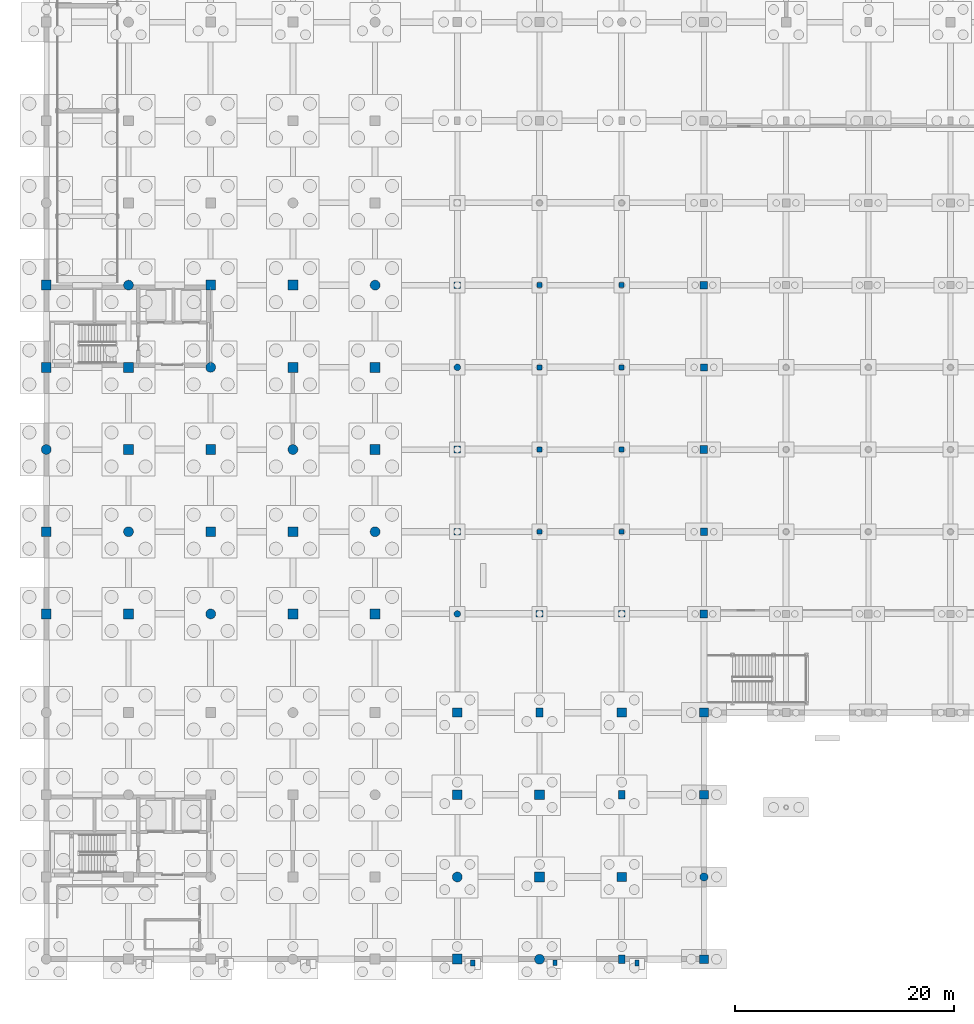
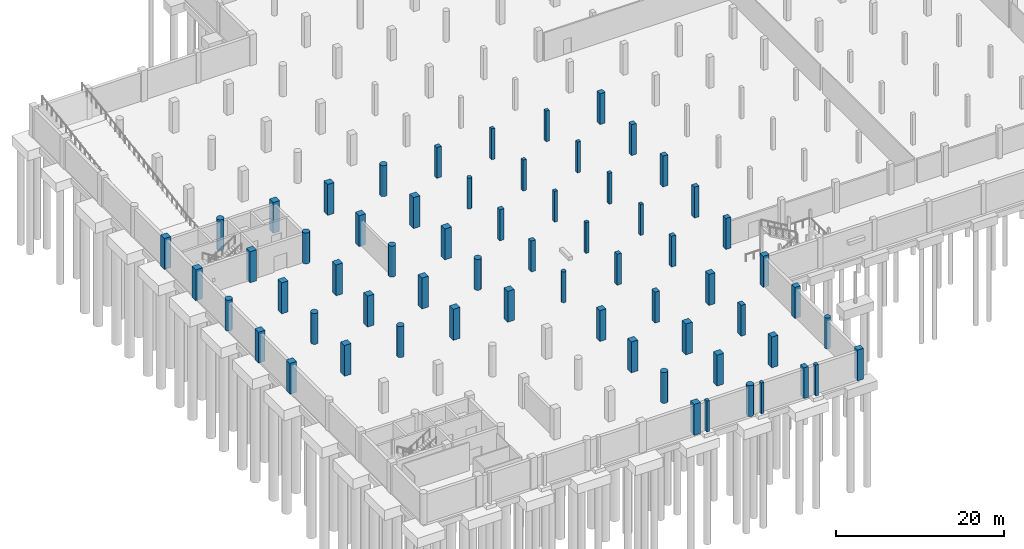
# One storey, part 17 of 42: 64 columns.
"""IFC4 building model written with IfcOpenShell, lengths in metres."""

import ifcopenshell
import ifcopenshell.guid

model = None  # the IFC model being written
_history = None  # IfcOwnerHistory: only IFC2X3 demands one
_inside = {}  # id of a spatial element -> (the spatial element, [elements in it])
_under = {}  # id of a project, library or spatial element -> (it, [spatial elements below it])
_declared = {}  # id of a project -> (the project, [libraries it declares])
_typed = {}  # id of a type object -> (the type object, [elements of that type])
_made_of = {}  # id of a material, layer set ... -> (it, [elements and type objects made of it])


def new_model(schema):
    """Start an empty IFC model of exactly this schema.

    Asked for "IFC4X3", IfcOpenShell would pick the latest addendum, in which some entities
    have other attributes; the version numbers below select the first issue.
    IFC2X3 requires an IfcOwnerHistory on every rooted entity: one is made here for all.
    """
    global model, _history
    if schema == "IFC4X3":
        model = ifcopenshell.file(schema_version=(4, 3, 0, 0))
    else:
        model = ifcopenshell.file(schema=schema)
    _inside.clear()
    _under.clear()
    _declared.clear()
    _typed.clear()
    _made_of.clear()
    _history = None
    if model.schema == "IFC2X3":
        org = make("IfcOrganization", Name="unknown")
        user = make(
            "IfcPersonAndOrganization",
            ThePerson=make("IfcPerson", FamilyName="unknown"),
            TheOrganization=org,
        )
        app = make(
            "IfcApplication",
            ApplicationDeveloper=org,
            Version="unknown",
            ApplicationFullName="unknown",
            ApplicationIdentifier="unknown",
        )
        _history = make(
            "IfcOwnerHistory",
            OwningUser=user,
            OwningApplication=app,
            ChangeAction="ADDED",
            CreationDate=0,
        )
    return model


def make(cls, **values):
    """One entity of the class cls with the attributes given. An attribute that is None is left unset."""
    return model.create_entity(
        cls, **{name: value for name, value in values.items() if value is not None}
    )


def rooted(cls, **values):
    """An entity with a GlobalId (a new one), such as an element, a storey or a relation."""
    return make(cls, GlobalId=ifcopenshell.guid.new(), OwnerHistory=_history, **values)


def si_unit(unit_type, name, prefix=None):
    """IfcSIUnit, for example si_unit("LENGTHUNIT", "METRE", prefix="MILLI")."""
    return make("IfcSIUnit", UnitType=unit_type, Prefix=prefix, Name=name)


def assignment(units):
    """IfcUnitAssignment: the units of a project."""
    return None if units is None else make("IfcUnitAssignment", Units=units)


def point(xyz):
    """IfcCartesianPoint."""
    return None if xyz is None else make("IfcCartesianPoint", Coordinates=xyz)


def direction(xyz):
    """IfcDirection."""
    return None if xyz is None else make("IfcDirection", DirectionRatios=xyz)


def frame(location, z_axis=None, x_axis=None):
    """IfcAxis2Placement3D, a coordinate frame: its origin and axes. An axis left out is left unset."""
    return make(
        "IfcAxis2Placement3D",
        Location=point(location),
        Axis=direction(z_axis),
        RefDirection=direction(x_axis),
    )


def frame_2d(location, x_axis=None):
    """IfcAxis2Placement2D, a coordinate frame in the plane: its origin and x axis."""
    return make(
        "IfcAxis2Placement2D", Location=point(location), RefDirection=direction(x_axis)
    )


def origin():
    """The frame at (0, 0, 0) with its axes left unset."""
    return frame((0.0, 0.0, 0.0))


def origin_2d():
    """The frame at (0, 0) in the plane with its x axis left unset."""
    return frame_2d((0.0, 0.0))


def place(relative_to, where):
    """IfcLocalPlacement: puts the frame where relative to a parent placement (None: the world)."""
    return make(
        "IfcLocalPlacement", PlacementRelTo=relative_to, RelativePlacement=where
    )


def context(
    kind, dimensions, precision=None, world=None, true_north=None, identifier=None
):
    """IfcGeometricRepresentationContext, for example the 3D "Model" context."""
    return make(
        "IfcGeometricRepresentationContext",
        ContextIdentifier=identifier,
        ContextType=kind,
        CoordinateSpaceDimension=dimensions,
        Precision=precision,
        WorldCoordinateSystem=world,
        TrueNorth=true_north,
    )


def subcontext(parent, identifier, kind, view, scale=None):
    """IfcGeometricRepresentationSubContext, for example "Body" below "Model"."""
    return make(
        "IfcGeometricRepresentationSubContext",
        ContextIdentifier=identifier,
        ContextType=kind,
        ParentContext=parent,
        TargetScale=scale,
        TargetView=view,
    )


def project(units=None, contexts=None):
    """IfcProject with its units and contexts."""
    return rooted(
        "IfcProject",
        Name="project",
        RepresentationContexts=contexts,
        UnitsInContext=assignment(units),
    )


def spatial(cls, under=None, at=None, **own):
    """A site, building, storey or space (cls), placed at a placement, below another one or the project."""
    s = rooted(cls, ObjectPlacement=at, **own)
    if under is not None:
        _under.setdefault(under.id(), (under, []))[1].append(s)
    return s


def profile(cls, at=None, kind="AREA", **sizes):
    """A parametric profile (cls). Its sizes go by their IFC names, for example OverallWidth=200.0."""
    return make(cls, ProfileType=kind, Position=at, **sizes)


def rectangle(**sizes):
    """IfcRectangleProfileDef."""
    return profile("IfcRectangleProfileDef", **sizes)


def circle(**sizes):
    """IfcCircleProfileDef."""
    return profile("IfcCircleProfileDef", **sizes)


def extrude(swept, where, along, depth):
    """IfcExtrudedAreaSolid: the profile swept, set in the frame where, extruded along a direction by depth."""
    return make(
        "IfcExtrudedAreaSolid",
        SweptArea=swept,
        Position=where,
        ExtrudedDirection=direction(along),
        Depth=depth,
    )


def shape(context_of_items, identifier, shape_type, items):
    """IfcShapeRepresentation: the items that make up one representation, for example the "Body"."""
    return make(
        "IfcShapeRepresentation",
        ContextOfItems=context_of_items,
        RepresentationIdentifier=identifier,
        RepresentationType=shape_type,
        Items=items,
    )


def material(Name=None, Category=None):
    """IfcMaterial."""
    return make("IfcMaterial", Name=Name, Category=Category)


def material_profile(
    of_material, cross_section, Name=None, Category=None, Priority=None
):
    """IfcMaterialProfile: a cross section and its material."""
    return make(
        "IfcMaterialProfile",
        Name=Name,
        Material=of_material,
        Profile=cross_section,
        Priority=Priority,
        Category=Category,
    )


def profile_set(profiles, Name=None, composite=None):
    """IfcMaterialProfileSet."""
    return make(
        "IfcMaterialProfileSet",
        Name=Name,
        MaterialProfiles=profiles,
        CompositeProfile=composite,
    )


def made_of(thing, what):
    """Note that an element or type object is made of a material, layer set ...; save() writes the relation."""
    if what is not None:
        _made_of.setdefault(what.id(), (what, []))[1].append(thing)
    return thing


def type_object(cls, material=None, **own):
    """A type object (cls), such as IfcWallType, which elements share."""
    return made_of(rooted(cls, **own), material)


def element(
    cls,
    number,
    at=None,
    inside=None,
    cuts=None,
    type_object=None,
    material=None,
    context=None,
    identifier="Body",
    shape_type=None,
    held_by="IfcProductDefinitionShape",
    body=None,
    shapes=None,
    **own,
):
    """One element of the class cls, such as IfcWall. Its Tag is "e" and its number.

    at: its placement. inside: the storey or other place that contains it. cuts: it is an
    opening in that element (IfcRelVoidsElement). A single representation is given by context,
    identifier, shape_type and body (its items); several are given by shapes. held_by: the class
    of the entity that holds the representations. save() writes the other relations.
    """
    e = rooted(cls, Tag="e%d" % number, ObjectPlacement=at, **own)
    if body is not None:
        shapes = [shape(context, identifier, shape_type, body)]
    if shapes is not None:
        e.Representation = make(held_by, Representations=shapes)
    if inside is not None:
        _inside.setdefault(inside.id(), (inside, []))[1].append(e)
    if cuts is not None:
        rooted(
            "IfcRelVoidsElement", RelatingBuildingElement=cuts, RelatedOpeningElement=e
        )
    if type_object is not None:
        _typed.setdefault(type_object.id(), (type_object, []))[1].append(e)
    return made_of(e, material)


def aggregate(whole, parts):
    """IfcRelAggregates: a whole, such as a stair, and the parts it consists of."""
    return rooted("IfcRelAggregates", RelatingObject=whole, RelatedObjects=parts)


def save(model, path):
    """Write the relations noted so far, then the file.

    IfcRelAggregates (storeys below a building ...), IfcRelContainedInSpatialStructure (elements
    in a storey), IfcRelDefinesByType, IfcRelAssociatesMaterial and IfcRelDeclares: one each for
    every whole, place, type object, material and project.
    """
    for whole, parts in _under.values():
        aggregate(whole, parts)
    for where, things in _inside.values():
        rooted(
            "IfcRelContainedInSpatialStructure",
            RelatedElements=things,
            RelatingStructure=where,
        )
    for kind, things in _typed.values():
        rooted("IfcRelDefinesByType", RelatedObjects=things, RelatingType=kind)
    for what, things in _made_of.values():
        rooted("IfcRelAssociatesMaterial", RelatedObjects=things, RelatingMaterial=what)
    for by, libraries in _declared.values():
        rooted("IfcRelDeclares", RelatingContext=by, RelatedDefinitions=libraries)
    model.write(path)


model = new_model("IFC4")

# Units and contexts
model_context = context("Model", 3, precision=1e-05, world=origin(), true_north=direction((0.0, 1.0)))
body_context = subcontext(model_context, "Body", "Model", "MODEL_VIEW")
ifc_project = project(units=[si_unit("LENGTHUNIT", "METRE"), si_unit("AREAUNIT", "SQUARE_METRE"), si_unit("VOLUMEUNIT", "CUBIC_METRE"), si_unit("PLANEANGLEUNIT", "RADIAN"), si_unit("MASSUNIT", "GRAM", prefix="KILO")], contexts=[model_context])

# Site, building, storey
site_placement = place(None, origin())
site = spatial("IfcSite", under=ifc_project, at=site_placement, CompositionType="ELEMENT")
building_placement = place(site_placement, origin())
building = spatial("IfcBuilding", under=site, at=building_placement, Name="Dalvernix Boulevard General Hospital", CompositionType="ELEMENT")
storey_placement = place(building_placement, frame((0.0, 0.0, -4.5)))
storey = spatial("IfcBuildingStorey", under=building, at=storey_placement, Name="B1", CompositionType="ELEMENT", Elevation=-4.5)

# Columns
ifc_material = material(Name="Concrete C40/50", Category="concrete")
ifc_material_profile_1 = material_profile(ifc_material, rectangle(XDim=0.89990234375, YDim=0.89990234375, at=origin_2d()), Name="RC 900x900")
ifc_profile_set_1 = profile_set([ifc_material_profile_1], Name="Concrete C40/50")
column_type_1 = type_object("IfcColumnType", Name="COL-C-01-E", PredefinedType="COLUMN", material=ifc_profile_set_1)
for number, where, z_axis, x_axis, name in (
    (1, (0.0, 31.5, 0.0), (0.0, 0.0, 1.0), (1.0, 0.0, 0.0), "B1 column 1E"),
    (2, (0.0, 39.0, 0.0), (0.0, 0.0, 1.0), (1.0, 0.0, 0.0), "B1 column 1F"),
    (3, (0.0, 54.0, 0.0), (0.0, 0.0, 1.0), (1.0, 0.0, 0.0), "B1 column 1H"),
    (4, (0.0, 61.5, 0.0), (0.0, 0.0, 1.0), (1.0, 0.0, 0.0), "B1 column 1J"),
    (5, (37.5, 0.0, 0.0), (0.0, 0.0, 1.0), (1.0, 0.0, 0.0), "B1 column 6A"),
):
    element("IfcColumn", number, at=place(storey_placement, frame(where, z_axis=z_axis, x_axis=x_axis)), inside=storey, type_object=column_type_1, Name=name, PredefinedType="COLUMN", context=body_context, shape_type="SweptSolid", body=[
        extrude(rectangle(XDim=0.89990234375, YDim=0.89990234375, at=origin_2d()), origin(), (0.0, 0.0, 1.0), 4.5),
    ])
ifc_material_profile_2 = material_profile(ifc_material, rectangle(XDim=0.89990234375, YDim=0.89990234375, at=origin_2d()), Name="RC 900x900")
ifc_profile_set_2 = profile_set([ifc_material_profile_2], Name="Concrete C40/50")
column_type_2 = type_object("IfcColumnType", Name="COL-C-01-I", PredefinedType="COLUMN", material=ifc_profile_set_2)
for number, where, z_axis, x_axis, name in (
    (6, (7.5, 31.5, 0.0), (0.0, 0.0, 1.0), (1.0, 0.0, 0.0), "B1 column 2E"),
    (7, (7.5, 46.5, 0.0), (0.0, 0.0, 1.0), (1.0, 0.0, 0.0), "B1 column 2G"),
    (8, (7.5, 54.0, 0.0), (0.0, 0.0, 1.0), (1.0, 0.0, 0.0), "B1 column 2H"),
    (9, (15.0, 39.0, 0.0), (0.0, 0.0, 1.0), (1.0, 0.0, 0.0), "B1 column 3F"),
    (10, (15.0, 46.5, 0.0), (0.0, 0.0, 1.0), (1.0, 0.0, 0.0), "B1 column 3G"),
    (11, (15.0, 61.5, 0.0), (0.0, 0.0, 1.0), (1.0, 0.0, 0.0), "B1 column 3J"),
    (12, (22.5, 31.5, 0.0), (0.0, 0.0, 1.0), (1.0, 0.0, 0.0), "B1 column 4E"),
    (13, (22.5, 39.0, 0.0), (0.0, 0.0, 1.0), (1.0, 0.0, 0.0), "B1 column 4F"),
    (14, (22.5, 54.0, 0.0), (0.0, 0.0, 1.0), (1.0, 0.0, 0.0), "B1 column 4H"),
    (15, (22.5, 61.5, 0.0), (0.0, 0.0, 1.0), (1.0, 0.0, 0.0), "B1 column 4J"),
    (16, (30.0, 31.5, 0.0), (0.0, 0.0, 1.0), (1.0, 0.0, 0.0), "B1 column 5E"),
    (17, (30.0, 46.5, 0.0), (0.0, 0.0, 1.0), (1.0, 0.0, 0.0), "B1 column 5G"),
    (18, (30.0, 54.0, 0.0), (0.0, 0.0, 1.0), (1.0, 0.0, 0.0), "B1 column 5H"),
    (19, (37.5, 15.0, 0.0), (0.0, 0.0, 1.0), (1.0, 0.0, 0.0), "B1 column 6C"),
    (20, (45.0, 7.5, 0.0), (0.0, 0.0, 1.0), (1.0, 0.0, 0.0), "B1 column 7B"),
    (21, (45.0, 15.0, 0.0), (0.0, 0.0, 1.0), (1.0, 0.0, 0.0), "B1 column 7C"),
):
    element("IfcColumn", number, at=place(storey_placement, frame(where, z_axis=z_axis, x_axis=x_axis)), inside=storey, type_object=column_type_2, Name=name, PredefinedType="COLUMN", context=body_context, shape_type="SweptSolid", body=[
        extrude(rectangle(XDim=0.89990234375, YDim=0.89990234375, at=origin_2d()), origin(), (0.0, 0.0, 1.0), 4.5),
    ])
ifc_material_profile_3 = material_profile(ifc_material, rectangle(XDim=0.85009765625, YDim=0.85009765625, at=origin_2d()), Name="RC 850x850")
ifc_profile_set_3 = profile_set([ifc_material_profile_3], Name="Concrete C40/50")
column_type_3 = type_object("IfcColumnType", Name="COL-C-02-I", PredefinedType="COLUMN", material=ifc_profile_set_3)
for number, where, z_axis, x_axis, name in (
    (22, (37.5, 22.5, 0.0), (0.0, 0.0, 1.0), (1.0, 0.0, 0.0), "B1 column 6D"),
    (23, (52.5, 7.5, 0.0), (0.0, 0.0, 1.0), (1.0, 0.0, 0.0), "B1 column 8B"),
    (24, (52.5, 22.5, 0.0), (0.0, 0.0, 1.0), (1.0, 0.0, 0.0), "B1 column 8D"),
):
    element("IfcColumn", number, at=place(storey_placement, frame(where, z_axis=z_axis, x_axis=x_axis)), inside=storey, type_object=column_type_3, Name=name, PredefinedType="COLUMN", context=body_context, shape_type="SweptSolid", body=[
        extrude(rectangle(XDim=0.85009765625, YDim=0.85009765625, at=origin_2d()), origin(), (0.0, 0.0, 1.0), 4.5),
    ])
ifc_material_profile_4 = material_profile(ifc_material, rectangle(XDim=0.800048828125, YDim=0.800048828125, at=origin_2d()), Name="RC 800x800")
ifc_profile_set_4 = profile_set([ifc_material_profile_4], Name="Concrete C40/50")
column_type_4 = type_object("IfcColumnType", Name="COL-C-03-E", PredefinedType="COLUMN", material=ifc_profile_set_4)
for number, where, z_axis, x_axis, name in (
    (25, (60.0, 0.0, 0.0), (0.0, 0.0, 1.0), (1.0, 0.0, 0.0), "B1 column 9A"),
    (26, (60.0, 15.0, 0.0), (0.0, 0.0, 1.0), (1.0, 0.0, 0.0), "B1 column 9C"),
    (27, (60.0, 22.5, 0.0), (0.0, 0.0, 1.0), (1.0, 0.0, 0.0), "B1 column 9D"),
):
    element("IfcColumn", number, at=place(storey_placement, frame(where, z_axis=z_axis, x_axis=x_axis)), inside=storey, type_object=column_type_4, Name=name, PredefinedType="COLUMN", context=body_context, shape_type="SweptSolid", body=[
        extrude(rectangle(XDim=0.800048828125, YDim=0.800048828125, at=origin_2d()), origin(), (0.0, 0.0, 1.0), 4.5),
    ])
ifc_material_profile_5 = material_profile(ifc_material, rectangle(XDim=0.699951171875, YDim=0.699951171875, at=origin_2d()), Name="RC 700x700")
ifc_profile_set_5 = profile_set([ifc_material_profile_5], Name="Concrete C40/50")
column_type_5 = type_object("IfcColumnType", Name="COL-C-05-I", PredefinedType="COLUMN", material=ifc_profile_set_5)
for number, where, z_axis, x_axis, name in (
    (28, (60.0, 31.5, 0.0), (0.0, 0.0, 1.0), (1.0, 0.0, 0.0), "B1 column 9E"),
    (29, (60.0, 46.5, 0.0), (0.0, 0.0, 1.0), (1.0, 0.0, 0.0), "B1 column 9G"),
    (30, (60.0, 61.5, 0.0), (0.0, 0.0, 1.0), (1.0, 0.0, 0.0), "B1 column 9J"),
):
    element("IfcColumn", number, at=place(storey_placement, frame(where, z_axis=z_axis, x_axis=x_axis)), inside=storey, type_object=column_type_5, Name=name, PredefinedType="COLUMN", context=body_context, shape_type="SweptSolid", body=[
        extrude(rectangle(XDim=0.699951171875, YDim=0.699951171875, at=origin_2d()), origin(), (0.0, 0.0, 1.0), 4.5),
    ])
ifc_material_profile_6 = material_profile(ifc_material, rectangle(XDim=0.64990234375, YDim=0.64990234375, at=origin_2d()), Name="RC 650x650")
ifc_profile_set_6 = profile_set([ifc_material_profile_6], Name="Concrete C40/50")
column_type_6 = type_object("IfcColumnType", Name="COL-C-06-I", PredefinedType="COLUMN", material=ifc_profile_set_6)
for number, where, z_axis, x_axis, name in (
    (31, (60.0, 39.0, 0.0), (0.0, 0.0, 1.0), (1.0, 0.0, 0.0), "B1 column 9F"),
    (32, (60.0, 54.0, 0.0), (0.0, 0.0, 1.0), (1.0, 0.0, 0.0), "B1 column 9H"),
):
    element("IfcColumn", number, at=place(storey_placement, frame(where, z_axis=z_axis, x_axis=x_axis)), inside=storey, type_object=column_type_6, Name=name, PredefinedType="COLUMN", context=body_context, shape_type="SweptSolid", body=[
        extrude(rectangle(XDim=0.64990234375, YDim=0.64990234375, at=origin_2d()), origin(), (0.0, 0.0, 1.0), 4.5),
    ])
ifc_material_profile_7 = material_profile(ifc_material, rectangle(XDim=0.60009765625, YDim=0.60009765625, at=origin_2d()), Name="RC 600x600")
ifc_profile_set_7 = profile_set([ifc_material_profile_7], Name="Concrete C40/50")
column_type_7 = type_object("IfcColumnType", Name="COL-C-07-I", PredefinedType="COLUMN", material=ifc_profile_set_7)
for number, where, z_axis, x_axis, name in (
    (33, (37.5, 39.0, 0.0), (0.0, 0.0, 1.0), (1.0, 0.0, 0.0), "B1 column 6F"),
    (34, (37.5, 46.5, 0.0), (0.0, 0.0, 1.0), (1.0, 0.0, 0.0), "B1 column 6G"),
    (35, (37.5, 61.5, 0.0), (0.0, 0.0, 1.0), (1.0, 0.0, 0.0), "B1 column 6J"),
    (36, (45.0, 31.5, 0.0), (0.0, 0.0, 1.0), (1.0, 0.0, 0.0), "B1 column 7E"),
    (37, (52.5, 31.5, 0.0), (0.0, 0.0, 1.0), (1.0, 0.0, 0.0), "B1 column 8E"),
):
    element("IfcColumn", number, at=place(storey_placement, frame(where, z_axis=z_axis, x_axis=x_axis)), inside=storey, type_object=column_type_7, Name=name, PredefinedType="COLUMN", context=body_context, shape_type="SweptSolid", body=[
        extrude(rectangle(XDim=0.60009765625, YDim=0.60009765625, at=origin_2d()), origin(), (0.0, 0.0, 1.0), 4.5),
    ])
ifc_material_profile_8 = material_profile(ifc_material, rectangle(XDim=0.449951171875, YDim=0.449951171875, at=origin_2d()), Name="RC 450x450")
ifc_profile_set_8 = profile_set([ifc_material_profile_8], Name="Concrete C40/50")
column_type_8 = type_object("IfcColumnType", Name="COL-C-10-I", PredefinedType="COLUMN", material=ifc_profile_set_8)
for number, where, z_axis, x_axis, name in (
    (38, (45.0, 39.0, 0.0), (0.0, 0.0, 1.0), (1.0, 0.0, 0.0), "B1 column 7F"),
    (39, (45.0, 46.5, 0.0), (0.0, 0.0, 1.0), (1.0, 0.0, 0.0), "B1 column 7G"),
    (40, (45.0, 54.0, 0.0), (0.0, 0.0, 1.0), (1.0, 0.0, 0.0), "B1 column 7H"),
    (41, (45.0, 61.5, 0.0), (0.0, 0.0, 1.0), (1.0, 0.0, 0.0), "B1 column 7J"),
    (42, (52.5, 39.0, 0.0), (0.0, 0.0, 1.0), (1.0, 0.0, 0.0), "B1 column 8F"),
    (43, (52.5, 46.5, 0.0), (0.0, 0.0, 1.0), (1.0, 0.0, 0.0), "B1 column 8G"),
    (44, (52.5, 54.0, 0.0), (0.0, 0.0, 1.0), (1.0, 0.0, 0.0), "B1 column 8H"),
    (45, (52.5, 61.5, 0.0), (0.0, 0.0, 1.0), (1.0, 0.0, 0.0), "B1 column 8J"),
):
    element("IfcColumn", number, at=place(storey_placement, frame(where, z_axis=z_axis, x_axis=x_axis)), inside=storey, type_object=column_type_8, Name=name, PredefinedType="COLUMN", context=body_context, shape_type="SweptSolid", body=[
        extrude(rectangle(XDim=0.449951171875, YDim=0.449951171875, at=origin_2d()), origin(), (0.0, 0.0, 1.0), 4.5),
    ])
ifc_material_profile_9 = material_profile(ifc_material, rectangle(XDim=0.60009765625, YDim=0.800048828125, at=origin_2d()), Name="RC 600x800")
ifc_profile_set_9 = profile_set([ifc_material_profile_9], Name="Concrete C40/50")
column_type_9 = type_object("IfcColumnType", Name="COL-C-11-E", PredefinedType="COLUMN", material=ifc_profile_set_9)
column_1_placement = place(storey_placement, frame((52.5, 0.0, 0.0), z_axis=(0.0, 0.0, 1.0), x_axis=(1.0, 0.0, 0.0)))
element("IfcColumn", 46, at=column_1_placement, inside=storey, type_object=column_type_9, Name="B1 column 8A", PredefinedType="COLUMN", context=body_context, shape_type="SweptSolid", body=[
    extrude(rectangle(XDim=0.60009765625, YDim=0.800048828125, at=origin_2d()), origin(), (0.0, 0.0, 1.0), 4.5),
])
ifc_material_profile_10 = material_profile(ifc_material, rectangle(XDim=0.60009765625, YDim=0.800048828125, at=origin_2d()), Name="RC 600x800")
ifc_profile_set_10 = profile_set([ifc_material_profile_10], Name="Concrete C40/50")
column_type_10 = type_object("IfcColumnType", Name="COL-C-11-I", PredefinedType="COLUMN", material=ifc_profile_set_10)
for number, where, z_axis, x_axis, name in (
    (47, (45.0, 22.5, 0.0), (0.0, 0.0, 1.0), (1.0, 0.0, 0.0), "B1 column 7D"),
    (48, (52.5, 15.0, 0.0), (0.0, 0.0, 1.0), (1.0, 0.0, 0.0), "B1 column 8C"),
):
    element("IfcColumn", number, at=place(storey_placement, frame(where, z_axis=z_axis, x_axis=x_axis)), inside=storey, type_object=column_type_10, Name=name, PredefinedType="COLUMN", context=body_context, shape_type="SweptSolid", body=[
        extrude(rectangle(XDim=0.60009765625, YDim=0.800048828125, at=origin_2d()), origin(), (0.0, 0.0, 1.0), 4.5),
    ])
ifc_material_profile_11 = material_profile(ifc_material, circle(Radius=0.449951171875, at=origin_2d()), Name="RC D900")
ifc_profile_set_11 = profile_set([ifc_material_profile_11], Name="Concrete C40/50")
column_type_11 = type_object("IfcColumnType", Name="COL-C-13-E", PredefinedType="COLUMN", material=ifc_profile_set_11)
for number, where, z_axis, x_axis, name in (
    (49, (0.0, 46.5, 0.0), (0.0, 0.0, 1.0), (1.0, 0.0, 0.0), "B1 column 1G"),
    (50, (45.0, 0.0, 0.0), (0.0, 0.0, 1.0), (1.0, 0.0, 0.0), "B1 column 7A"),
):
    element("IfcColumn", number, at=place(storey_placement, frame(where, z_axis=z_axis, x_axis=x_axis)), inside=storey, type_object=column_type_11, Name=name, PredefinedType="COLUMN", context=body_context, shape_type="SweptSolid", body=[
        extrude(circle(Radius=0.449951171875, at=origin_2d()), origin(), (0.0, 0.0, 1.0), 4.5),
    ])
ifc_material_profile_12 = material_profile(ifc_material, circle(Radius=0.449951171875, at=origin_2d()), Name="RC D900")
ifc_profile_set_12 = profile_set([ifc_material_profile_12], Name="Concrete C40/50")
column_type_12 = type_object("IfcColumnType", Name="COL-C-13-I", PredefinedType="COLUMN", material=ifc_profile_set_12)
for number, where, z_axis, x_axis, name in (
    (51, (7.5, 39.0, 0.0), (0.0, 0.0, 1.0), (1.0, 0.0, 0.0), "B1 column 2F"),
    (52, (7.5, 61.5, 0.0), (0.0, 0.0, 1.0), (1.0, 0.0, 0.0), "B1 column 2J"),
    (53, (15.0, 31.5, 0.0), (0.0, 0.0, 1.0), (1.0, 0.0, 0.0), "B1 column 3E"),
    (54, (15.0, 54.0, 0.0), (0.0, 0.0, 1.0), (1.0, 0.0, 0.0), "B1 column 3H"),
    (55, (22.5, 46.5, 0.0), (0.0, 0.0, 1.0), (1.0, 0.0, 0.0), "B1 column 4G"),
    (56, (30.0, 39.0, 0.0), (0.0, 0.0, 1.0), (1.0, 0.0, 0.0), "B1 column 5F"),
    (57, (30.0, 61.5, 0.0), (0.0, 0.0, 1.0), (1.0, 0.0, 0.0), "B1 column 5J"),
    (58, (37.5, 7.5, 0.0), (0.0, 0.0, 1.0), (1.0, 0.0, 0.0), "B1 column 6B"),
):
    element("IfcColumn", number, at=place(storey_placement, frame(where, z_axis=z_axis, x_axis=x_axis)), inside=storey, type_object=column_type_12, Name=name, PredefinedType="COLUMN", context=body_context, shape_type="SweptSolid", body=[
        extrude(circle(Radius=0.449951171875, at=origin_2d()), origin(), (0.0, 0.0, 1.0), 4.5),
    ])
ifc_material_profile_13 = material_profile(ifc_material, circle(Radius=0.375, at=origin_2d()), Name="RC D750")
ifc_profile_set_13 = profile_set([ifc_material_profile_13], Name="Concrete C40/50")
column_type_13 = type_object("IfcColumnType", Name="COL-C-14-E", PredefinedType="COLUMN", material=ifc_profile_set_13)
column_2_placement = place(storey_placement, frame((60.0, 7.5, 0.0), z_axis=(0.0, 0.0, 1.0), x_axis=(1.0, 0.0, 0.0)))
element("IfcColumn", 59, at=column_2_placement, inside=storey, type_object=column_type_13, Name="B1 column 9B", PredefinedType="COLUMN", context=body_context, shape_type="SweptSolid", body=[
    extrude(circle(Radius=0.375, at=origin_2d()), origin(), (0.0, 0.0, 1.0), 4.5),
])
ifc_material_profile_14 = material_profile(ifc_material, circle(Radius=0.300048828125, at=origin_2d()), Name="RC D600")
ifc_profile_set_14 = profile_set([ifc_material_profile_14], Name="Concrete C40/50")
column_type_14 = type_object("IfcColumnType", Name="COL-C-15-I", PredefinedType="COLUMN", material=ifc_profile_set_14)
for number, where, z_axis, x_axis, name in (
    (60, (37.5, 31.5, 0.0), (0.0, 0.0, 1.0), (1.0, 0.0, 0.0), "B1 column 6E"),
    (61, (37.5, 54.0, 0.0), (0.0, 0.0, 1.0), (1.0, 0.0, 0.0), "B1 column 6H"),
):
    element("IfcColumn", number, at=place(storey_placement, frame(where, z_axis=z_axis, x_axis=x_axis)), inside=storey, type_object=column_type_14, Name=name, PredefinedType="COLUMN", context=body_context, shape_type="SweptSolid", body=[
        extrude(circle(Radius=0.300048828125, at=origin_2d()), origin(), (0.0, 0.0, 1.0), 4.5),
    ])
ifc_material_profile_15 = material_profile(ifc_material, rectangle(XDim=0.35009765625, YDim=0.5, at=origin_2d()), Name="RC 350x500")
ifc_profile_set_15 = profile_set([ifc_material_profile_15], Name="Concrete C40/50")
column_type_15 = type_object("IfcColumnType", Name="COL-CP-01", PredefinedType="PILASTER", material=ifc_profile_set_15)
column_3_placement = place(storey_placement, frame((46.39990234375, -0.340087890625, 0.0), z_axis=(0.0, 0.0, 1.0), x_axis=(1.0, 0.0, 0.0)))
element("IfcColumn", 62, at=column_3_placement, inside=storey, type_object=column_type_15, Name="B1 boulevard facade pilaster 5", PredefinedType="PILASTER", context=body_context, shape_type="SweptSolid", body=[
    extrude(rectangle(XDim=0.35009765625, YDim=0.5, at=origin_2d()), origin(), (0.0, 0.0, 1.0), 4.5),
])
ifc_material_profile_16 = material_profile(ifc_material, rectangle(XDim=0.39990234375, YDim=0.550048828125, at=origin_2d()), Name="RC 400x550")
ifc_profile_set_16 = profile_set([ifc_material_profile_16], Name="Concrete C40/50")
column_type_16 = type_object("IfcColumnType", Name="COL-CP-02", PredefinedType="PILASTER", material=ifc_profile_set_16)
for number, where, z_axis, x_axis, name in (
    (63, (38.89990234375, -0.340087890625, 0.0), (0.0, 0.0, 1.0), (1.0, 0.0, 0.0), "B1 boulevard facade pilaster 4"),
    (64, (53.89990234375, -0.340087890625, 0.0), (0.0, 0.0, 1.0), (1.0, 0.0, 0.0), "B1 boulevard facade pilaster 6"),
):
    element("IfcColumn", number, at=place(storey_placement, frame(where, z_axis=z_axis, x_axis=x_axis)), inside=storey, type_object=column_type_16, Name=name, PredefinedType="PILASTER", context=body_context, shape_type="SweptSolid", body=[
        extrude(rectangle(XDim=0.39990234375, YDim=0.550048828125, at=origin_2d()), origin(), (0.0, 0.0, 1.0), 4.5),
    ])

save(model, "model.ifc")
